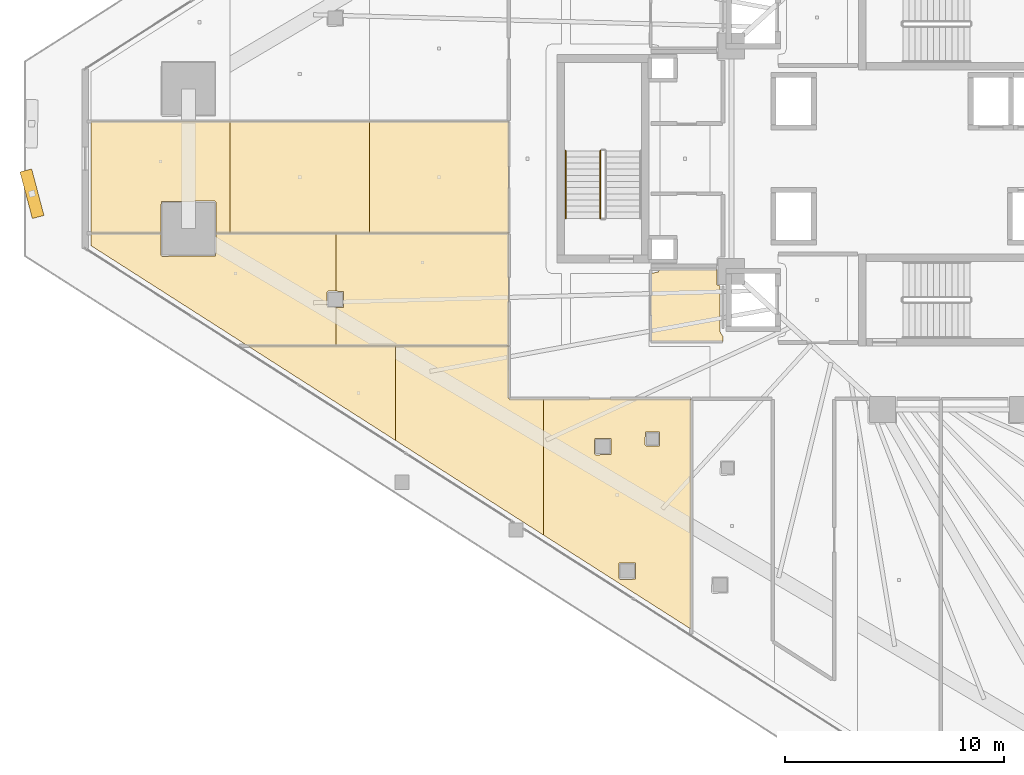
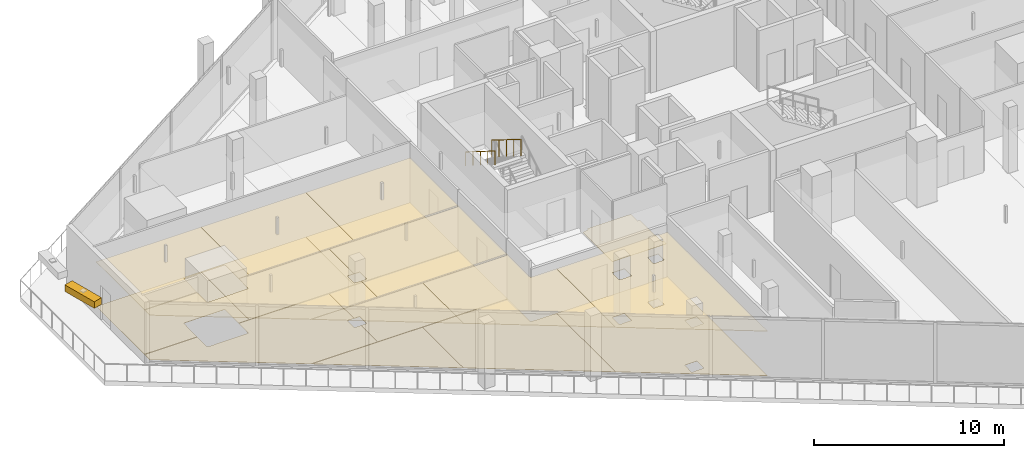
# One storey, part 36 of 44: 17 coverings, 2 railings, 1 shading device.
"""IFC4 building model written with IfcOpenShell, lengths in metres."""

from ifc_helpers import new_model, si_unit, direction, frame, origin, origin_2d, place, context, subcontext, project, spatial, polyline, rectangle, circle, outline, extrude, material, layer, layer_set, type_object, element, save


model = new_model("IFC4")

# Units and contexts
model_context = context("Model", 3, precision=1e-05, world=origin(), true_north=direction((0.0, 1.0)))
body_context = subcontext(model_context, "Body", "Model", "MODEL_VIEW")
ifc_project = project(units=[si_unit("LENGTHUNIT", "METRE"), si_unit("AREAUNIT", "SQUARE_METRE"), si_unit("VOLUMEUNIT", "CUBIC_METRE"), si_unit("PLANEANGLEUNIT", "RADIAN"), si_unit("MASSUNIT", "GRAM", prefix="KILO")], contexts=[model_context])

# Site, building, storey
site_placement = place(None, origin())
site = spatial("IfcSite", under=ifc_project, at=site_placement, CompositionType="ELEMENT")
building_placement = place(site_placement, origin())
building = spatial("IfcBuilding", under=site, at=building_placement, Name="Qorvath Tower", CompositionType="ELEMENT")
storey_placement = place(building_placement, frame((0.0, 0.0, 57.60009765625)))
storey = spatial("IfcBuildingStorey", under=building, at=storey_placement, Name="L12", CompositionType="ELEMENT", Elevation=57.60009765625)

# Coverings
ifc_material_1 = material(Name="Acoustic mineral fibre ceiling tile", Category="gypsum")
ifc_layer_1 = layer(ifc_material_1, 0.030029296875)
ifc_layer_set_1 = layer_set([ifc_layer_1], Name="COV-CEIL")
covering_type_1 = type_object("IfcCoveringType", Name="COV-CEIL", PredefinedType="CEILING", material=ifc_layer_set_1)
covering_1_placement = place(storey_placement, frame((0.0, 0.0, 2.849853515625)))
element("IfcCovering", 1, at=covering_1_placement, inside=storey, type_object=covering_type_1, Name="L12 Suspended Acoustic Ceiling 021", PredefinedType="CEILING", context=body_context, shape_type="SweptSolid", body=[
    extrude(outline(polyline([(-45.834228515625, -12.859375), (-45.834228515625, -8.548828125), (-52.58544921875, -8.541015625), (-45.834228515625, -12.859375)])), origin(), (0.0, 0.0, 1.0), 0.030029296875),
])
covering_2_placement = place(storey_placement, frame((0.0, 0.0, 2.849853515625)))
element("IfcCovering", 2, at=covering_2_placement, inside=storey, type_object=covering_type_1, Name="L12 Suspended Acoustic Ceiling 022", PredefinedType="CEILING", context=body_context, shape_type="SweptSolid", body=[
    extrude(outline(polyline([(-39.0830078125, -10.962890625), (-40.657958984375, -10.962890625), (-40.6630859375, -8.554931640625), (-45.834228515625, -8.548828125), (-45.834228515625, -12.859375), (-39.0830078125, -17.17626953125), (-39.0830078125, -10.962890625)])), origin(), (0.0, 0.0, 1.0), 0.030029296875),
])
covering_3_placement = place(storey_placement, frame((0.0, 0.0, 2.849853515625)))
element("IfcCovering", 3, at=covering_3_placement, inside=storey, type_object=covering_type_1, Name="L12 Suspended Acoustic Ceiling 023", PredefinedType="CEILING", context=body_context, shape_type="SweptSolid", body=[
    extrude(outline(polyline([(-32.331787109375, -21.483154296875), (-32.331787109375, -10.962890625), (-39.0830078125, -10.962890625), (-39.0830078125, -17.17626953125), (-32.331787109375, -21.483154296875)]), holes=[polyline([(-34.439208984375, -13.0673828125), (-34.421630859375, -12.47509765625), (-33.786865234375, -12.47509765625), (-33.786865234375, -13.10986328125), (-34.379150390625, -13.12744140625), (-34.439208984375, -13.0673828125)]), polyline([(-35.63671875, -19.154296875), (-35.619140625, -18.4619140625), (-34.88427734375, -18.4619140625), (-34.88427734375, -19.19677734375), (-35.57666015625, -19.21435546875), (-35.63671875, -19.154296875)]), polyline([(-36.749755859375, -13.46044921875), (-36.732177734375, -12.76806640625), (-35.997314453125, -12.76806640625), (-35.997314453125, -13.5029296875), (-36.689697265625, -13.5205078125), (-36.749755859375, -13.46044921875)])]), origin(), (0.0, 0.0, 1.0), 0.030029296875),
])
covering_4_placement = place(storey_placement, frame((0.0, 0.0, 2.849853515625)))
element("IfcCovering", 4, at=covering_4_placement, inside=storey, type_object=covering_type_1, Name="L12 Suspended Acoustic Ceiling 040", PredefinedType="CEILING", context=body_context, shape_type="SweptSolid", body=[
    extrude(outline(polyline([(-48.55126953125, -8.532958984375), (-48.55126953125, -6.7919921875), (-48.94580078125, -6.7919921875), (-48.96337890625, -6.099609375), (-48.9033203125, -6.03955078125), (-48.55126953125, -6.048583984375), (-48.55126953125, -3.40771484375), (-54.02294921875, -3.40771484375), (-54.04052734375, -4.43701171875), (-56.48291015625, -4.45458984375), (-56.54296875, -4.39453125), (-56.54296875, -3.40771484375), (-59.743408203125, -3.40771484375), (-59.743408203125, -3.963623046875), (-52.59765625, -8.53076171875), (-48.55126953125, -8.532958984375)])), origin(), (0.0, 0.0, 1.0), 0.030029296875),
])
covering_5_placement = place(storey_placement, frame((0.0, 0.0, 2.849853515625)))
element("IfcCovering", 5, at=covering_5_placement, inside=storey, type_object=covering_type_1, Name="L12 Suspended Acoustic Ceiling 041", PredefinedType="CEILING", context=body_context, shape_type="SweptSolid", body=[
    extrude(outline(polyline([(-40.6630859375, -8.537109375), (-40.6630859375, -3.40771484375), (-48.55126953125, -3.40771484375), (-48.55126953125, -6.048583984375), (-48.2109375, -6.05712890625), (-48.2109375, -6.7919921875), (-48.55126953125, -6.7919921875), (-48.55126953125, -8.532958984375), (-40.6630859375, -8.537109375)])), origin(), (0.0, 0.0, 1.0), 0.030029296875),
])
covering_6_placement = place(storey_placement, frame((0.0, 0.0, 2.849853515625)))
element("IfcCovering", 6, at=covering_6_placement, inside=storey, type_object=covering_type_1, Name="L12 Suspended Acoustic Ceiling 042", PredefinedType="CEILING", context=body_context, shape_type="SweptSolid", body=[
    extrude(outline(polyline([(-54.02294921875, -3.389892578125), (-53.38330078125, -3.389892578125), (-53.38330078125, 1.697998046875), (-59.743408203125, 1.697998046875), (-59.743408203125, -3.389892578125), (-56.54296875, -3.389892578125), (-56.525390625, -1.9521484375), (-54.0830078125, -1.9345703125), (-54.02294921875, -1.994384765625), (-54.02294921875, -3.389892578125)])), origin(), (0.0, 0.0, 1.0), 0.030029296875),
])
covering_7_placement = place(storey_placement, frame((0.0, 0.0, 2.849853515625)))
element("IfcCovering", 7, at=covering_7_placement, inside=storey, type_object=covering_type_1, Name="L12 Suspended Acoustic Ceiling 043", PredefinedType="CEILING", context=body_context, shape_type="SweptSolid", body=[
    extrude(outline(polyline([(-53.38330078125, 1.697998046875), (-53.38330078125, -3.389892578125), (-47.023193359375, -3.389892578125), (-47.023193359375, 1.697998046875), (-53.38330078125, 1.697998046875)])), origin(), (0.0, 0.0, 1.0), 0.030029296875),
])
covering_8_placement = place(storey_placement, frame((0.0, 0.0, 2.849853515625)))
element("IfcCovering", 8, at=covering_8_placement, inside=storey, type_object=covering_type_1, Name="L12 Suspended Acoustic Ceiling 044", PredefinedType="CEILING", context=body_context, shape_type="SweptSolid", body=[
    extrude(outline(polyline([(-47.023193359375, 1.697998046875), (-47.023193359375, -3.389892578125), (-40.6630859375, -3.389892578125), (-40.6630859375, 1.697998046875), (-47.023193359375, 1.697998046875)])), origin(), (0.0, 0.0, 1.0), 0.030029296875),
])
ifc_material_2 = material(Name="Low-VOC modular carpet tile", Category="textile")
ifc_layer_2 = layer(ifc_material_2, 0.014892578125)
ifc_layer_set_2 = layer_set([ifc_layer_2], Name="COV-FLOOR-CPT")
covering_type_2 = type_object("IfcCoveringType", Name="COV-FLOOR-CPT", PredefinedType="FLOORING", material=ifc_layer_set_2)
covering_9_placement = place(storey_placement, origin())
element("IfcCovering", 9, at=covering_9_placement, inside=storey, type_object=covering_type_2, Name="L12 Floor Finish 021", PredefinedType="FLOORING", context=body_context, shape_type="SweptSolid", body=[
    extrude(outline(polyline([(-45.834228515625, -12.859375), (-45.834228515625, -8.548828125), (-52.58544921875, -8.541015625), (-45.834228515625, -12.859375)])), origin(), (0.0, 0.0, 1.0), 0.014892578125),
])
covering_10_placement = place(storey_placement, origin())
element("IfcCovering", 10, at=covering_10_placement, inside=storey, type_object=covering_type_2, Name="L12 Floor Finish 022", PredefinedType="FLOORING", context=body_context, shape_type="SweptSolid", body=[
    extrude(outline(polyline([(-39.0830078125, -10.962890625), (-40.657958984375, -10.962890625), (-40.6630859375, -8.554931640625), (-45.834228515625, -8.548828125), (-45.834228515625, -12.859375), (-39.0830078125, -17.17626953125), (-39.0830078125, -10.962890625)])), origin(), (0.0, 0.0, 1.0), 0.014892578125),
])
covering_11_placement = place(storey_placement, origin())
element("IfcCovering", 11, at=covering_11_placement, inside=storey, type_object=covering_type_2, Name="L12 Floor Finish 023", PredefinedType="FLOORING", context=body_context, shape_type="SweptSolid", body=[
    extrude(outline(polyline([(-32.331787109375, -21.483154296875), (-32.331787109375, -10.962890625), (-39.0830078125, -10.962890625), (-39.0830078125, -17.17626953125), (-32.331787109375, -21.483154296875)]), holes=[polyline([(-34.439208984375, -13.0673828125), (-34.421630859375, -12.47509765625), (-33.786865234375, -12.47509765625), (-33.786865234375, -13.10986328125), (-34.379150390625, -13.12744140625), (-34.439208984375, -13.0673828125)]), polyline([(-35.63671875, -19.154296875), (-35.619140625, -18.4619140625), (-34.88427734375, -18.4619140625), (-34.88427734375, -19.19677734375), (-35.57666015625, -19.21435546875), (-35.63671875, -19.154296875)]), polyline([(-36.749755859375, -13.46044921875), (-36.732177734375, -12.76806640625), (-35.997314453125, -12.76806640625), (-35.997314453125, -13.5029296875), (-36.689697265625, -13.5205078125), (-36.749755859375, -13.46044921875)])]), origin(), (0.0, 0.0, 1.0), 0.014892578125),
])
covering_12_placement = place(storey_placement, origin())
element("IfcCovering", 12, at=covering_12_placement, inside=storey, type_object=covering_type_2, Name="L12 Floor Finish 040", PredefinedType="FLOORING", context=body_context, shape_type="SweptSolid", body=[
    extrude(outline(polyline([(-48.55126953125, -8.532958984375), (-48.55126953125, -6.7919921875), (-48.94580078125, -6.7919921875), (-48.96337890625, -6.099609375), (-48.9033203125, -6.03955078125), (-48.55126953125, -6.048583984375), (-48.55126953125, -3.40771484375), (-54.02294921875, -3.40771484375), (-54.04052734375, -4.43701171875), (-56.48291015625, -4.45458984375), (-56.54296875, -4.39453125), (-56.54296875, -3.40771484375), (-59.743408203125, -3.40771484375), (-59.743408203125, -3.963623046875), (-52.59765625, -8.53076171875), (-48.55126953125, -8.532958984375)])), origin(), (0.0, 0.0, 1.0), 0.014892578125),
])
covering_13_placement = place(storey_placement, origin())
element("IfcCovering", 13, at=covering_13_placement, inside=storey, type_object=covering_type_2, Name="L12 Floor Finish 041", PredefinedType="FLOORING", context=body_context, shape_type="SweptSolid", body=[
    extrude(outline(polyline([(-40.6630859375, -8.537109375), (-40.6630859375, -3.40771484375), (-48.55126953125, -3.40771484375), (-48.55126953125, -6.048583984375), (-48.2109375, -6.05712890625), (-48.2109375, -6.7919921875), (-48.55126953125, -6.7919921875), (-48.55126953125, -8.532958984375), (-40.6630859375, -8.537109375)])), origin(), (0.0, 0.0, 1.0), 0.014892578125),
])
covering_14_placement = place(storey_placement, origin())
element("IfcCovering", 14, at=covering_14_placement, inside=storey, type_object=covering_type_2, Name="L12 Floor Finish 042", PredefinedType="FLOORING", context=body_context, shape_type="SweptSolid", body=[
    extrude(outline(polyline([(-54.02294921875, -3.389892578125), (-53.38330078125, -3.389892578125), (-53.38330078125, 1.697998046875), (-59.743408203125, 1.697998046875), (-59.743408203125, -3.389892578125), (-56.54296875, -3.389892578125), (-56.525390625, -1.9521484375), (-54.0830078125, -1.9345703125), (-54.02294921875, -1.994384765625), (-54.02294921875, -3.389892578125)])), origin(), (0.0, 0.0, 1.0), 0.014892578125),
])
covering_15_placement = place(storey_placement, origin())
element("IfcCovering", 15, at=covering_15_placement, inside=storey, type_object=covering_type_2, Name="L12 Floor Finish 043", PredefinedType="FLOORING", context=body_context, shape_type="SweptSolid", body=[
    extrude(outline(polyline([(-53.38330078125, 1.697998046875), (-53.38330078125, -3.389892578125), (-47.023193359375, -3.389892578125), (-47.023193359375, 1.697998046875), (-53.38330078125, 1.697998046875)])), origin(), (0.0, 0.0, 1.0), 0.014892578125),
])
covering_16_placement = place(storey_placement, origin())
element("IfcCovering", 16, at=covering_16_placement, inside=storey, type_object=covering_type_2, Name="L12 Floor Finish 044", PredefinedType="FLOORING", context=body_context, shape_type="SweptSolid", body=[
    extrude(outline(polyline([(-47.023193359375, 1.697998046875), (-47.023193359375, -3.389892578125), (-40.6630859375, -3.389892578125), (-40.6630859375, 1.697998046875), (-47.023193359375, 1.697998046875)])), origin(), (0.0, 0.0, 1.0), 0.014892578125),
])
ifc_material_3 = material(Name="Polished epoxy terrazzo flooring", Category="concrete")
ifc_layer_3 = layer(ifc_material_3, 0.02001953125)
ifc_layer_set_3 = layer_set([ifc_layer_3], Name="COV-FLOOR-TRZ")
covering_type_3 = type_object("IfcCoveringType", Name="COV-FLOOR-TRZ", PredefinedType="FLOORING", material=ifc_layer_set_3)
covering_17_placement = place(storey_placement, origin())
element("IfcCovering", 17, at=covering_17_placement, inside=storey, type_object=covering_type_3, Name="L12 Floor Finish 005", PredefinedType="FLOORING", context=body_context, shape_type="SweptSolid", body=[
    extrude(outline(polyline([(-31.159912109375, -5.054931640625), (-33.786865234375, -5.054931640625), (-33.833251953125, -5.166748046875), (-34.175048828125, -5.239990234375), (-34.175048828125, -8.344970703125), (-30.885009765625, -8.344970703125), (-30.885009765625, -8.108154296875), (-31.010009765625, -7.909912109375), (-31.010009765625, -5.81005859375), (-31.159912109375, -5.75), (-31.159912109375, -5.054931640625)])), origin(), (0.0, 0.0, 1.0), 0.014892578125),
])

# Railings
ifc_material_4 = material(Name="Painted galvanised steel", Category="steel")
railing_type_1 = type_object("IfcRailingType", Name="RL-STR-GRD", PredefinedType="GUARDRAIL", material=ifc_material_4)
railing_1_placement = place(storey_placement, frame((-36.47998046875, 0.360107421875, 2.27490234375)))
element("IfcRailing", 18, at=railing_1_placement, inside=storey, type_object=railing_type_1, Name="L12 TS3 stair guard 3", PredefinedType="GUARDRAIL", context=body_context, shape_type="SweptSolid", body=[
    extrude(circle(Radius=0.02392578125, at=origin_2d()), frame((0.0, 0.0, 1.076171875), z_axis=(0.0, -0.847998304005, 0.529998940003), x_axis=(1.0, 0.0, 0.0)), (0.0, 0.0, 1.0), 3.632080078125),
    extrude(circle(Radius=0.02099609375, at=origin_2d()), origin(), (0.0, 0.0, 1.0), 1.052001953125),
    extrude(circle(Radius=0.02099609375, at=origin_2d()), frame((0.0, -0.77001953125, 0.481201171875)), (0.0, 0.0, 1.0), 1.052001953125),
    extrude(circle(Radius=0.02099609375, at=origin_2d()), frame((0.0, -1.5400390625, 0.96240234375)), (0.0, 0.0, 1.0), 1.052001953125),
    extrude(circle(Radius=0.02099609375, at=origin_2d()), frame((0.0, -2.31005859375, 1.44384765625)), (0.0, 0.0, 1.0), 1.052001953125),
    extrude(circle(Radius=0.02099609375, at=origin_2d()), frame((0.0, -3.080078125, 1.925048828125)), (0.0, 0.0, 1.0), 1.052001953125),
])
ifc_material_5 = material(Name="Brushed stainless steel AISI 304", Category="steel")
railing_type_2 = type_object("IfcRailingType", Name="RL-STR-HND", PredefinedType="HANDRAIL", material=ifc_material_5)
railing_2_placement = place(storey_placement, frame((-38.06005859375, 0.360107421875, 2.27490234375)))
element("IfcRailing", 19, at=railing_2_placement, inside=storey, type_object=railing_type_2, Name="L12 TS3 stair handrail 2", PredefinedType="HANDRAIL", context=body_context, shape_type="SweptSolid", body=[
    extrude(circle(Radius=0.02392578125, at=origin_2d()), frame((0.0, 0.0, 0.8759765625), z_axis=(0.0, -0.847998304005, 0.529998940003), x_axis=(1.0, 0.0, 0.0)), (0.0, 0.0, 1.0), 3.632080078125),
    extrude(circle(Radius=0.02099609375, at=origin_2d()), origin(), (0.0, 0.0, 1.0), 0.851806640625),
    extrude(circle(Radius=0.02099609375, at=origin_2d()), frame((0.0, -0.77001953125, 0.481201171875)), (0.0, 0.0, 1.0), 0.851806640625),
    extrude(circle(Radius=0.02099609375, at=origin_2d()), frame((0.0, -1.5400390625, 0.96240234375)), (0.0, 0.0, 1.0), 0.851806640625),
    extrude(circle(Radius=0.02099609375, at=origin_2d()), frame((0.0, -2.31005859375, 1.44384765625)), (0.0, 0.0, 1.0), 0.851806640625),
    extrude(circle(Radius=0.02099609375, at=origin_2d()), frame((0.0, -3.080078125, 1.925048828125)), (0.0, 0.0, 1.0), 0.851806640625),
])

# Shading device
ifc_material_6 = material(Name="Anodised bronze-champagne aluminium", Category="aluminium")
shading_device_type = type_object("IfcShadingDeviceType", Name="SD-LOUVRE", PredefinedType="JALOUSIE", material=ifc_material_6)
shading_device_placement = place(storey_placement, frame((-62.42822265625, -1.59716796875, 3.5), z_axis=(0.0, 0.0, 1.0), x_axis=(0.256385532884, -0.966574600601, 0.0)))
element("IfcShadingDevice", 20, at=shading_device_placement, inside=storey, type_object=shading_device_type, Name="Sinusoidal Wave Louvre Blade L12-02", PredefinedType="NOTDEFINED", context=body_context, shape_type="SweptSolid", body=[
    extrude(rectangle(XDim=2.199951171875, YDim=0.550048828125, at=origin_2d()), origin(), (0.0, 0.0, 1.0), 0.419921875),
])

save(model, "model.ifc")
